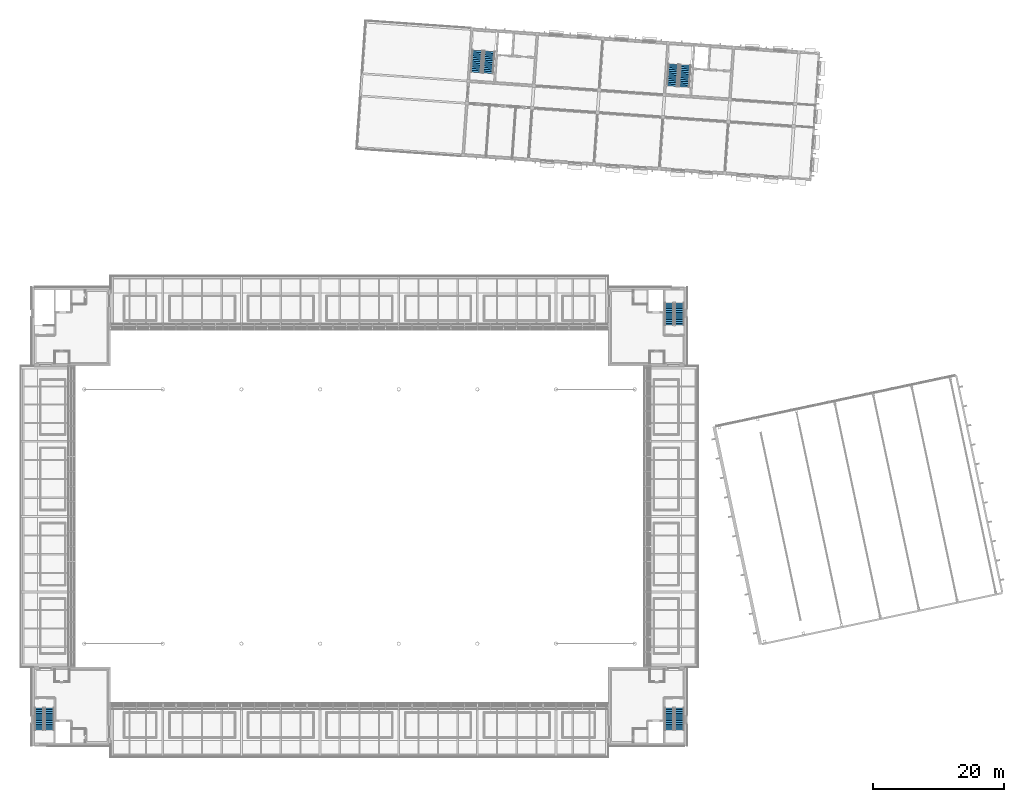
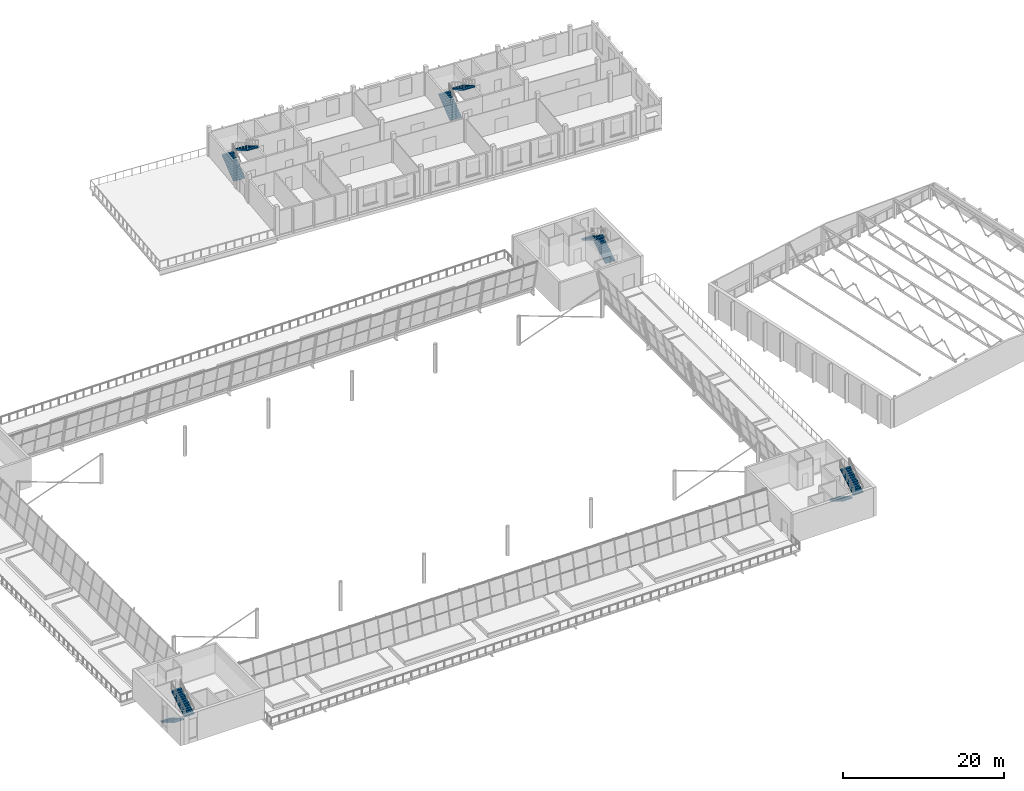
# One storey, part 39 of 58: 10 stair flights, 5 elements without a shape of their own.
"""IFC4 building model written with IfcOpenShell, lengths in metres."""

from ifc_helpers import new_model, si_unit, direction, frame, origin, place, context, subcontext, project, spatial, polyline, outline, extrude, material, type_object, element, aggregate, save


model = new_model("IFC4")

# Units and contexts
model_context = context("Model", 3, precision=1e-05, world=origin(), true_north=direction((0.0, 1.0)))
body_context = subcontext(model_context, "Body", "Model", "MODEL_VIEW")
ifc_project = project(units=[si_unit("LENGTHUNIT", "METRE"), si_unit("AREAUNIT", "SQUARE_METRE"), si_unit("VOLUMEUNIT", "CUBIC_METRE"), si_unit("PLANEANGLEUNIT", "RADIAN"), si_unit("MASSUNIT", "GRAM", prefix="KILO")], contexts=[model_context])

# Site, building, storey
site_placement = place(None, origin())
site = spatial("IfcSite", under=ifc_project, at=site_placement, CompositionType="ELEMENT")
building_placement = place(site_placement, origin())
building = spatial("IfcBuilding", under=site, at=building_placement, Name="Windward Yard Aquatics Centre", CompositionType="ELEMENT")
storey_placement = place(building_placement, frame((0.0, 0.0, 13.800048828125)))
storey = spatial("IfcBuildingStorey", under=building, at=storey_placement, Name="L03", CompositionType="ELEMENT", Elevation=13.800048828125)

# Stair, stair flights
ifc_material = material(Name="Concrete C35/45", Category="concrete")
stair_type_1 = type_object("IfcStairType", Name="H Core Stair Concrete C35/45 1400", PredefinedType="HALF_TURN_STAIR", material=ifc_material)
stair_1_placement = place(storey_placement, origin())
stair_1 = element("IfcStair", 1, at=stair_1_placement, inside=storey, type_object=stair_type_1, Name="L03 Stair SW", PredefinedType="HALF_TURN_STAIR")
stair_flight_type_1 = type_object("IfcStairFlightType", Name="H Core Stair Flight Concrete C35/45 1400", PredefinedType="STRAIGHT", material=ifc_material)
stair_flight_1_placement = place(storey_placement, frame((53.14990234375, 31.800048828125, 0.0), z_axis=(0.0, 0.0, 1.0), x_axis=(0.0, -1.0, 0.0)))
stair_flight_1 = element("IfcStairFlight", 2, at=stair_flight_1_placement, type_object=stair_flight_type_1, Name="ST1 flight 1", NumberOfRisers=13, NumberOfTreads=12, PredefinedType="STRAIGHT", RiserHeight=0.169230769, TreadLength=0.28, context=body_context, shape_type="SweptSolid", body=[
    extrude(outline(polyline([(0.0, 0.0), (0.0, 0.169189453125), (0.280029296875, 0.169189453125), (0.280029296875, 0.33837890625), (0.56005859375, 0.33837890625), (0.56005859375, 0.5078125), (0.840087890625, 0.5078125), (0.840087890625, 0.677001953125), (1.1201171875, 0.677001953125), (1.1201171875, 0.84619140625), (1.39990234375, 0.84619140625), (1.39990234375, 1.015380859375), (1.679931640625, 1.015380859375), (1.679931640625, 1.1845703125), (1.9599609375, 1.1845703125), (1.9599609375, 1.353759765625), (2.239990234375, 1.353759765625), (2.239990234375, 1.523193359375), (2.52001953125, 1.523193359375), (2.52001953125, 1.6923828125), (2.800048828125, 1.6923828125), (2.800048828125, 1.861572265625), (3.080078125, 1.861572265625), (3.080078125, 2.03076171875), (3.360107421875, 2.03076171875), (3.360107421875, 2.199951171875), (3.360107421875, 1.855712890625), (0.289794921875, 0.0), (0.0, 0.0)])), frame((0.0, 0.699951171875, 0.0), z_axis=(0.0, -1.0, 0.0), x_axis=(1.0, 0.0, 0.0)), (0.0, 0.0, 1.0), 1.39990234375),
])
stair_flight_2_placement = place(storey_placement, frame((54.699951171875, 28.43994140625, 2.199951171875), z_axis=(0.0, 0.0, 1.0), x_axis=(0.0, 1.0, 0.0)))
stair_flight_2 = element("IfcStairFlight", 3, at=stair_flight_2_placement, type_object=stair_flight_type_1, Name="ST1 flight 2", NumberOfRisers=13, NumberOfTreads=12, PredefinedType="STRAIGHT", RiserHeight=0.169230769, TreadLength=0.28, context=body_context, shape_type="SweptSolid", body=[
    extrude(outline(polyline([(0.0, 0.0), (0.0, 0.169189453125), (0.280029296875, 0.169189453125), (0.280029296875, 0.33837890625), (0.56005859375, 0.33837890625), (0.56005859375, 0.5078125), (0.840087890625, 0.5078125), (0.840087890625, 0.677001953125), (1.1201171875, 0.677001953125), (1.1201171875, 0.84619140625), (1.39990234375, 0.84619140625), (1.39990234375, 1.015380859375), (1.679931640625, 1.015380859375), (1.679931640625, 1.1845703125), (1.9599609375, 1.1845703125), (1.9599609375, 1.353759765625), (2.239990234375, 1.353759765625), (2.239990234375, 1.523193359375), (2.52001953125, 1.523193359375), (2.52001953125, 1.6923828125), (2.800048828125, 1.6923828125), (2.800048828125, 1.861572265625), (3.080078125, 1.861572265625), (3.080078125, 2.03076171875), (3.360107421875, 2.03076171875), (3.360107421875, 2.199951171875), (3.360107421875, 1.855712890625), (0.289794921875, 0.0), (0.0, 0.0)])), frame((0.0, 0.699951171875, 0.0), z_axis=(0.0, -1.0, 0.0), x_axis=(1.0, 0.0, 0.0)), (0.0, 0.0, 1.0), 1.39990234375),
])
aggregate(stair_1, [stair_flight_1, stair_flight_2])

stair_2_placement = place(storey_placement, origin())
stair_2 = element("IfcStair", 4, at=stair_2_placement, inside=storey, type_object=stair_type_1, Name="L03 Stair SE", PredefinedType="HALF_TURN_STAIR")
stair_flight_3_placement = place(storey_placement, frame((149.300048828125, 31.800048828125, 0.0), z_axis=(0.0, 0.0, 1.0), x_axis=(0.0, -1.0, 0.0)))
stair_flight_3 = element("IfcStairFlight", 5, at=stair_flight_3_placement, type_object=stair_flight_type_1, Name="ST2 flight 1", NumberOfRisers=13, NumberOfTreads=12, PredefinedType="STRAIGHT", RiserHeight=0.169230769, TreadLength=0.28, context=body_context, shape_type="SweptSolid", body=[
    extrude(outline(polyline([(0.0, 0.0), (0.0, 0.169189453125), (0.280029296875, 0.169189453125), (0.280029296875, 0.33837890625), (0.56005859375, 0.33837890625), (0.56005859375, 0.5078125), (0.840087890625, 0.5078125), (0.840087890625, 0.677001953125), (1.1201171875, 0.677001953125), (1.1201171875, 0.84619140625), (1.39990234375, 0.84619140625), (1.39990234375, 1.015380859375), (1.679931640625, 1.015380859375), (1.679931640625, 1.1845703125), (1.9599609375, 1.1845703125), (1.9599609375, 1.353759765625), (2.239990234375, 1.353759765625), (2.239990234375, 1.523193359375), (2.52001953125, 1.523193359375), (2.52001953125, 1.6923828125), (2.800048828125, 1.6923828125), (2.800048828125, 1.861572265625), (3.080078125, 1.861572265625), (3.080078125, 2.03076171875), (3.360107421875, 2.03076171875), (3.360107421875, 2.199951171875), (3.360107421875, 1.855712890625), (0.289794921875, 0.0), (0.0, 0.0)])), frame((0.0, 0.699951171875, 0.0), z_axis=(0.0, -1.0, 0.0), x_axis=(1.0, 0.0, 0.0)), (0.0, 0.0, 1.0), 1.39990234375),
])
stair_flight_4_placement = place(storey_placement, frame((150.85009765625, 28.43994140625, 2.199951171875), z_axis=(0.0, 0.0, 1.0), x_axis=(0.0, 1.0, 0.0)))
stair_flight_4 = element("IfcStairFlight", 6, at=stair_flight_4_placement, type_object=stair_flight_type_1, Name="ST2 flight 2", NumberOfRisers=13, NumberOfTreads=12, PredefinedType="STRAIGHT", RiserHeight=0.169230769, TreadLength=0.28, context=body_context, shape_type="SweptSolid", body=[
    extrude(outline(polyline([(0.0, 0.0), (0.0, 0.169189453125), (0.280029296875, 0.169189453125), (0.280029296875, 0.33837890625), (0.56005859375, 0.33837890625), (0.56005859375, 0.5078125), (0.840087890625, 0.5078125), (0.840087890625, 0.677001953125), (1.1201171875, 0.677001953125), (1.1201171875, 0.84619140625), (1.39990234375, 0.84619140625), (1.39990234375, 1.015380859375), (1.679931640625, 1.015380859375), (1.679931640625, 1.1845703125), (1.9599609375, 1.1845703125), (1.9599609375, 1.353759765625), (2.239990234375, 1.353759765625), (2.239990234375, 1.523193359375), (2.52001953125, 1.523193359375), (2.52001953125, 1.6923828125), (2.800048828125, 1.6923828125), (2.800048828125, 1.861572265625), (3.080078125, 1.861572265625), (3.080078125, 2.03076171875), (3.360107421875, 2.03076171875), (3.360107421875, 2.199951171875), (3.360107421875, 1.855712890625), (0.289794921875, 0.0), (0.0, 0.0)])), frame((0.0, 0.699951171875, 0.0), z_axis=(0.0, -1.0, 0.0), x_axis=(1.0, 0.0, 0.0)), (0.0, 0.0, 1.0), 1.39990234375),
])
aggregate(stair_2, [stair_flight_3, stair_flight_4])

stair_3_placement = place(storey_placement, origin())
stair_3 = element("IfcStair", 7, at=stair_3_placement, inside=storey, type_object=stair_type_1, Name="L03 Stair NE", PredefinedType="HALF_TURN_STAIR")
stair_flight_5_placement = place(storey_placement, frame((150.85009765625, 90.199951171875, 0.0), z_axis=(0.0, 0.0, 1.0), x_axis=(0.0, 1.0, 0.0)))
stair_flight_5 = element("IfcStairFlight", 8, at=stair_flight_5_placement, type_object=stair_flight_type_1, Name="ST4 flight 1", NumberOfRisers=13, NumberOfTreads=12, PredefinedType="STRAIGHT", RiserHeight=0.169230769, TreadLength=0.28, context=body_context, shape_type="SweptSolid", body=[
    extrude(outline(polyline([(0.0, 0.0), (0.0, 0.169189453125), (0.280029296875, 0.169189453125), (0.280029296875, 0.33837890625), (0.56005859375, 0.33837890625), (0.56005859375, 0.5078125), (0.840087890625, 0.5078125), (0.840087890625, 0.677001953125), (1.1201171875, 0.677001953125), (1.1201171875, 0.84619140625), (1.39990234375, 0.84619140625), (1.39990234375, 1.015380859375), (1.679931640625, 1.015380859375), (1.679931640625, 1.1845703125), (1.9599609375, 1.1845703125), (1.9599609375, 1.353759765625), (2.239990234375, 1.353759765625), (2.239990234375, 1.523193359375), (2.52001953125, 1.523193359375), (2.52001953125, 1.6923828125), (2.800048828125, 1.6923828125), (2.800048828125, 1.861572265625), (3.080078125, 1.861572265625), (3.080078125, 2.03076171875), (3.360107421875, 2.03076171875), (3.360107421875, 2.199951171875), (3.360107421875, 1.855712890625), (0.289794921875, 0.0), (0.0, 0.0)])), frame((0.0, 0.699951171875, 0.0), z_axis=(0.0, -1.0, 0.0), x_axis=(1.0, 0.0, 0.0)), (0.0, 0.0, 1.0), 1.39990234375),
])
stair_flight_6_placement = place(storey_placement, frame((149.300048828125, 93.56005859375, 2.199951171875), z_axis=(0.0, 0.0, 1.0), x_axis=(0.0, -1.0, 0.0)))
stair_flight_6 = element("IfcStairFlight", 9, at=stair_flight_6_placement, type_object=stair_flight_type_1, Name="ST4 flight 2", NumberOfRisers=13, NumberOfTreads=12, PredefinedType="STRAIGHT", RiserHeight=0.169230769, TreadLength=0.28, context=body_context, shape_type="SweptSolid", body=[
    extrude(outline(polyline([(0.0, 0.0), (0.0, 0.169189453125), (0.280029296875, 0.169189453125), (0.280029296875, 0.33837890625), (0.56005859375, 0.33837890625), (0.56005859375, 0.5078125), (0.840087890625, 0.5078125), (0.840087890625, 0.677001953125), (1.1201171875, 0.677001953125), (1.1201171875, 0.84619140625), (1.39990234375, 0.84619140625), (1.39990234375, 1.015380859375), (1.679931640625, 1.015380859375), (1.679931640625, 1.1845703125), (1.9599609375, 1.1845703125), (1.9599609375, 1.353759765625), (2.239990234375, 1.353759765625), (2.239990234375, 1.523193359375), (2.52001953125, 1.523193359375), (2.52001953125, 1.6923828125), (2.800048828125, 1.6923828125), (2.800048828125, 1.861572265625), (3.080078125, 1.861572265625), (3.080078125, 2.03076171875), (3.360107421875, 2.03076171875), (3.360107421875, 2.199951171875), (3.360107421875, 1.855712890625), (0.289794921875, 0.0), (0.0, 0.0)])), frame((0.0, 0.699951171875, 0.0), z_axis=(0.0, -1.0, 0.0), x_axis=(1.0, 0.0, 0.0)), (0.0, 0.0, 1.0), 1.39990234375),
])
aggregate(stair_3, [stair_flight_5, stair_flight_6])

stair_type_2 = type_object("IfcStairType", Name="W exit stair 1600", PredefinedType="HALF_TURN_STAIR", material=ifc_material)
stair_4_placement = place(storey_placement, origin())
stair_4 = element("IfcStair", 10, at=stair_4_placement, inside=storey, type_object=stair_type_2, Name="W.ST.W.L03", PredefinedType="HALF_TURN_STAIR")
stair_flight_type_2 = type_object("IfcStairFlightType", Name="W stair flight 1600 Concrete C35/45", PredefinedType="STRAIGHT", material=ifc_material)
stair_flight_7_placement = place(storey_placement, frame((119.772216796875, 128.763427734375, 0.0), z_axis=(0.0, 0.0, 1.0), x_axis=(0.069756473744, 0.99756405026, 0.0)))
stair_flight_7 = element("IfcStairFlight", 11, at=stair_flight_7_placement, type_object=stair_flight_type_2, Name="ST-W flight 1", NumberOfRisers=13, NumberOfTreads=12, PredefinedType="STRAIGHT", RiserHeight=0.169230769, TreadLength=0.28, context=body_context, shape_type="SweptSolid", body=[
    extrude(outline(polyline([(0.0, 0.0), (0.0, 0.169189453125), (0.280029296875, 0.169189453125), (0.280029296875, 0.33837890625), (0.56005859375, 0.33837890625), (0.56005859375, 0.5078125), (0.840087890625, 0.5078125), (0.840087890625, 0.677001953125), (1.1201171875, 0.677001953125), (1.1201171875, 0.84619140625), (1.39990234375, 0.84619140625), (1.39990234375, 1.015380859375), (1.679931640625, 1.015380859375), (1.679931640625, 1.1845703125), (1.9599609375, 1.1845703125), (1.9599609375, 1.353759765625), (2.239990234375, 1.353759765625), (2.239990234375, 1.523193359375), (2.52001953125, 1.523193359375), (2.52001953125, 1.6923828125), (2.800048828125, 1.6923828125), (2.800048828125, 1.861572265625), (3.080078125, 1.861572265625), (3.080078125, 2.03076171875), (3.360107421875, 2.03076171875), (3.360107421875, 2.199951171875), (3.360107421875, 1.855712890625), (0.289794921875, 0.0), (0.0, 0.0)])), frame((0.0, 0.800048828125, 0.0), z_axis=(0.0, -1.0, 0.0), x_axis=(1.0, 0.0, 0.0)), (0.0, 0.0, 1.0), 1.60009765625),
])
stair_flight_8_placement = place(storey_placement, frame((121.85205078125, 131.986083984375, 2.199951171875), z_axis=(0.0, 0.0, 1.0), x_axis=(-0.069756473744, -0.99756405026, 0.0)))
stair_flight_8 = element("IfcStairFlight", 12, at=stair_flight_8_placement, type_object=stair_flight_type_2, Name="ST-W flight 2", NumberOfRisers=13, NumberOfTreads=12, PredefinedType="STRAIGHT", RiserHeight=0.169230769, TreadLength=0.28, context=body_context, shape_type="SweptSolid", body=[
    extrude(outline(polyline([(0.0, 0.0), (0.0, 0.169189453125), (0.280029296875, 0.169189453125), (0.280029296875, 0.33837890625), (0.56005859375, 0.33837890625), (0.56005859375, 0.5078125), (0.840087890625, 0.5078125), (0.840087890625, 0.677001953125), (1.1201171875, 0.677001953125), (1.1201171875, 0.84619140625), (1.39990234375, 0.84619140625), (1.39990234375, 1.015380859375), (1.679931640625, 1.015380859375), (1.679931640625, 1.1845703125), (1.9599609375, 1.1845703125), (1.9599609375, 1.353759765625), (2.239990234375, 1.353759765625), (2.239990234375, 1.523193359375), (2.52001953125, 1.523193359375), (2.52001953125, 1.6923828125), (2.800048828125, 1.6923828125), (2.800048828125, 1.861572265625), (3.080078125, 1.861572265625), (3.080078125, 2.03076171875), (3.360107421875, 2.03076171875), (3.360107421875, 2.199951171875), (3.360107421875, 1.855712890625), (0.289794921875, 0.0), (0.0, 0.0)])), frame((0.0, 0.800048828125, 0.0), z_axis=(0.0, -1.0, 0.0), x_axis=(1.0, 0.0, 0.0)), (0.0, 0.0, 1.0), 1.60009765625),
])
aggregate(stair_4, [stair_flight_7, stair_flight_8])

stair_5_placement = place(storey_placement, origin())
stair_5 = element("IfcStair", 13, at=stair_5_placement, inside=storey, type_object=stair_type_2, Name="W.ST.E.L03", PredefinedType="HALF_TURN_STAIR")
stair_flight_9_placement = place(storey_placement, frame((149.69921875, 126.670654296875, 0.0), z_axis=(0.0, 0.0, 1.0), x_axis=(0.069756473744, 0.99756405026, 0.0)))
stair_flight_9 = element("IfcStairFlight", 14, at=stair_flight_9_placement, type_object=stair_flight_type_2, Name="ST-E flight 1", NumberOfRisers=13, NumberOfTreads=12, PredefinedType="STRAIGHT", RiserHeight=0.169230769, TreadLength=0.28, context=body_context, shape_type="SweptSolid", body=[
    extrude(outline(polyline([(0.0, 0.0), (0.0, 0.169189453125), (0.280029296875, 0.169189453125), (0.280029296875, 0.33837890625), (0.56005859375, 0.33837890625), (0.56005859375, 0.5078125), (0.840087890625, 0.5078125), (0.840087890625, 0.677001953125), (1.1201171875, 0.677001953125), (1.1201171875, 0.84619140625), (1.39990234375, 0.84619140625), (1.39990234375, 1.015380859375), (1.679931640625, 1.015380859375), (1.679931640625, 1.1845703125), (1.9599609375, 1.1845703125), (1.9599609375, 1.353759765625), (2.239990234375, 1.353759765625), (2.239990234375, 1.523193359375), (2.52001953125, 1.523193359375), (2.52001953125, 1.6923828125), (2.800048828125, 1.6923828125), (2.800048828125, 1.861572265625), (3.080078125, 1.861572265625), (3.080078125, 2.03076171875), (3.360107421875, 2.03076171875), (3.360107421875, 2.199951171875), (3.360107421875, 1.855712890625), (0.289794921875, 0.0), (0.0, 0.0)])), frame((0.0, 0.800048828125, 0.0), z_axis=(0.0, -1.0, 0.0), x_axis=(1.0, 0.0, 0.0)), (0.0, 0.0, 1.0), 1.60009765625),
])
stair_flight_10_placement = place(storey_placement, frame((151.779052734375, 129.893310546875, 2.199951171875), z_axis=(0.0, 0.0, 1.0), x_axis=(-0.069756473744, -0.99756405026, 0.0)))
stair_flight_10 = element("IfcStairFlight", 15, at=stair_flight_10_placement, type_object=stair_flight_type_2, Name="ST-E flight 2", NumberOfRisers=13, NumberOfTreads=12, PredefinedType="STRAIGHT", RiserHeight=0.169230769, TreadLength=0.28, context=body_context, shape_type="SweptSolid", body=[
    extrude(outline(polyline([(0.0, 0.0), (0.0, 0.169189453125), (0.280029296875, 0.169189453125), (0.280029296875, 0.33837890625), (0.56005859375, 0.33837890625), (0.56005859375, 0.5078125), (0.840087890625, 0.5078125), (0.840087890625, 0.677001953125), (1.1201171875, 0.677001953125), (1.1201171875, 0.84619140625), (1.39990234375, 0.84619140625), (1.39990234375, 1.015380859375), (1.679931640625, 1.015380859375), (1.679931640625, 1.1845703125), (1.9599609375, 1.1845703125), (1.9599609375, 1.353759765625), (2.239990234375, 1.353759765625), (2.239990234375, 1.523193359375), (2.52001953125, 1.523193359375), (2.52001953125, 1.6923828125), (2.800048828125, 1.6923828125), (2.800048828125, 1.861572265625), (3.080078125, 1.861572265625), (3.080078125, 2.03076171875), (3.360107421875, 2.03076171875), (3.360107421875, 2.199951171875), (3.360107421875, 1.855712890625), (0.289794921875, 0.0), (0.0, 0.0)])), frame((0.0, 0.800048828125, 0.0), z_axis=(0.0, -1.0, 0.0), x_axis=(1.0, 0.0, 0.0)), (0.0, 0.0, 1.0), 1.60009765625),
])
aggregate(stair_5, [stair_flight_9, stair_flight_10])

save(model, "model.ifc")
